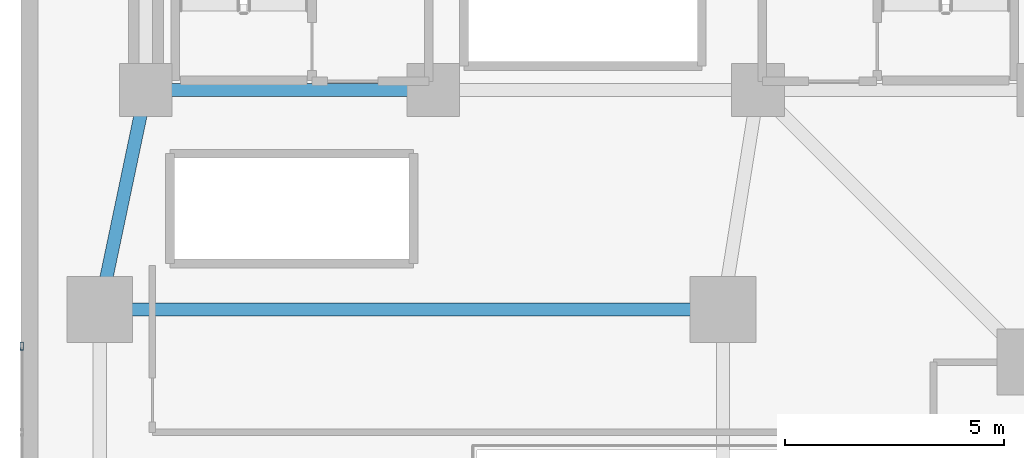
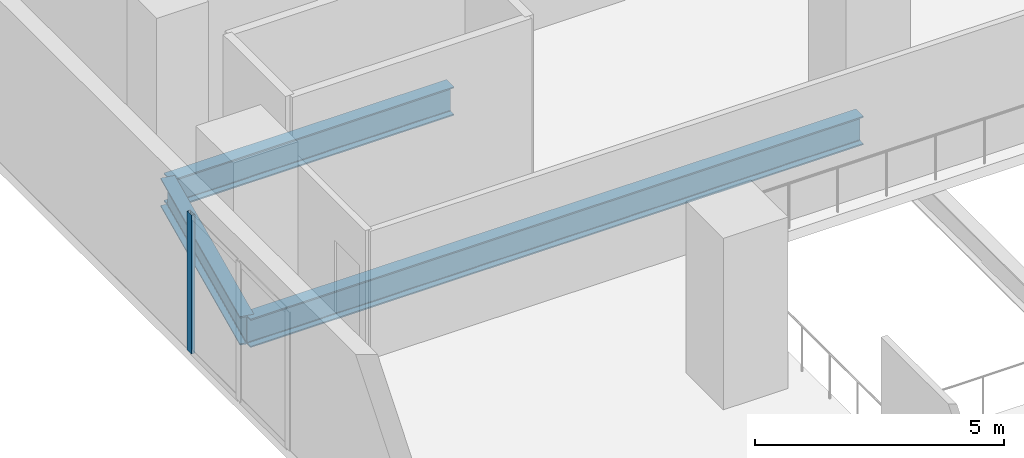
# One storey, part 6 of 14: 3 beams, 1 member, 1 element without a shape of its own.
"""IFC4 building model written with IfcOpenShell, lengths in metres."""

from ifc_helpers import new_model, si_unit, direction, frame, origin, origin_2d, place, context, subcontext, project, spatial, hollow_rectangle, i_section, extrude, material, material_profile, profile_set, type_object, element, aggregate, save


model = new_model("IFC4")

# Units and contexts
model_context = context("Model", 3, precision=1e-05, world=origin(), true_north=direction((0.0, 1.0)))
body_context = subcontext(model_context, "Body", "Model", "MODEL_VIEW")
ifc_project = project(units=[si_unit("LENGTHUNIT", "METRE"), si_unit("AREAUNIT", "SQUARE_METRE"), si_unit("VOLUMEUNIT", "CUBIC_METRE"), si_unit("PLANEANGLEUNIT", "RADIAN"), si_unit("MASSUNIT", "GRAM", prefix="KILO")], contexts=[model_context])

# Site, building, storey
site_placement = place(None, origin())
site = spatial("IfcSite", under=ifc_project, at=site_placement, CompositionType="ELEMENT")
building_placement = place(site_placement, origin())
building = spatial("IfcBuilding", under=site, at=building_placement, Name="Kuzgunbayir Cultural Tower", CompositionType="ELEMENT")
storey_placement = place(building_placement, frame((0.0, 0.0, 8.800048828125)))
storey = spatial("IfcBuildingStorey", under=building, at=storey_placement, Name="L02", CompositionType="ELEMENT", Elevation=8.800048828125)

# Beams
ifc_material_1 = material(Name="Steel S355J2", Category="steel")
ifc_material_profile_1 = material_profile(ifc_material_1, i_section(OverallWidth=0.300048828125, OverallDepth=0.699951171875, WebThickness=0.01708984375, FlangeThickness=0.031982421875, FilletRadius=0.027099609375, at=origin_2d()), Name="HEB 700")
ifc_profile_set_1 = profile_set([ifc_material_profile_1], Name="Steel S355J2")
beam_type = type_object("IfcBeamType", Name="BM-GIR-HEB700", PredefinedType="BEAM", material=ifc_profile_set_1)
beam_1_placement = place(storey_placement, frame((5.39990234375, 28.800048828125, -0.60009765625), z_axis=(1.0, 0.0, 0.0), x_axis=(0.0, 1.0, 0.0)))
element("IfcBeam", 1, at=beam_1_placement, inside=storey, type_object=beam_type, Name="L02 Podium Primary Girder 3", PredefinedType="BEAM", context=body_context, shape_type="SweptSolid", body=[
    extrude(i_section(OverallWidth=0.300048828125, OverallDepth=0.699951171875, WebThickness=0.01708984375, FlangeThickness=0.031982421875, FilletRadius=0.027099609375, at=origin_2d()), origin(), (0.0, 0.0, 1.0), 14.2001953125),
])
beam_2_placement = place(storey_placement, frame((5.39990234375, 28.800048828125, -0.60009765625), z_axis=(0.205526387753, 0.978651574329, 0.0), x_axis=(-0.978651574329, 0.205526387753, 0.0)))
element("IfcBeam", 2, at=beam_2_placement, inside=storey, type_object=beam_type, Name="L02 Podium Primary Girder 7", PredefinedType="BEAM", context=body_context, shape_type="SweptSolid", body=[
    extrude(i_section(OverallWidth=0.300048828125, OverallDepth=0.699951171875, WebThickness=0.01708984375, FlangeThickness=0.031982421875, FilletRadius=0.027099609375, at=origin_2d()), origin(), (0.0, 0.0, 1.0), 5.109130859375),
])
beam_3_placement = place(storey_placement, frame((6.449951171875, 33.800048828125, -0.60009765625), z_axis=(1.0, 0.0, 0.0), x_axis=(0.0, 1.0, 0.0)))
element("IfcBeam", 3, at=beam_3_placement, inside=storey, type_object=beam_type, Name="L02 Podium Primary Girder 28", PredefinedType="BEAM", context=body_context, shape_type="SweptSolid", body=[
    extrude(i_section(OverallWidth=0.300048828125, OverallDepth=0.699951171875, WebThickness=0.01708984375, FlangeThickness=0.031982421875, FilletRadius=0.027099609375, at=origin_2d()), origin(), (0.0, 0.0, 1.0), 6.550048828125),
])

# Curtain wall, member
ifc_material_2 = material(Name="Anodised Aluminium Framing", Category="aluminium")
curtain_wall_type = type_object("IfcCurtainWallType", Name="CW01-POD-FOYER", PredefinedType="NOTDEFINED", material=ifc_material_2)
curtain_wall_placement = place(storey_placement, origin())
curtain_wall = element("IfcCurtainWall", 4, at=curtain_wall_placement, inside=storey, type_object=curtain_wall_type, Name="L02 Civic Foyer Curtain Wall North", PredefinedType="NOTDEFINED")
ifc_material_profile_2 = material_profile(ifc_material_2, hollow_rectangle(XDim=0.074951171875, YDim=0.179931640625, WallThickness=0.0048828125, at=origin_2d()), Name="RHS 180x75x5")
ifc_profile_set_2 = profile_set([ifc_material_profile_2], Name="Anodised Aluminium Framing")
member_type = type_object("IfcMemberType", Name="MEM-CW-MULLION-180", PredefinedType="MULLION", material=ifc_profile_set_2)
member_placement = place(storey_placement, frame((3.6201171875, 27.96240234375, 0.0), z_axis=(0.0, 0.0, 1.0), x_axis=(-1.0, 0.0, 0.0)))
member = element("IfcMember", 5, at=member_placement, type_object=member_type, Name="CW01 mullion 3", PredefinedType="MULLION", context=body_context, shape_type="SweptSolid", body=[
    extrude(hollow_rectangle(XDim=0.074951171875, YDim=0.179931640625, WallThickness=0.0048828125, at=origin_2d()), origin(), (0.0, 0.0, 1.0), 3.39990234375),
])
aggregate(curtain_wall, [member])

save(model, "model.ifc")
